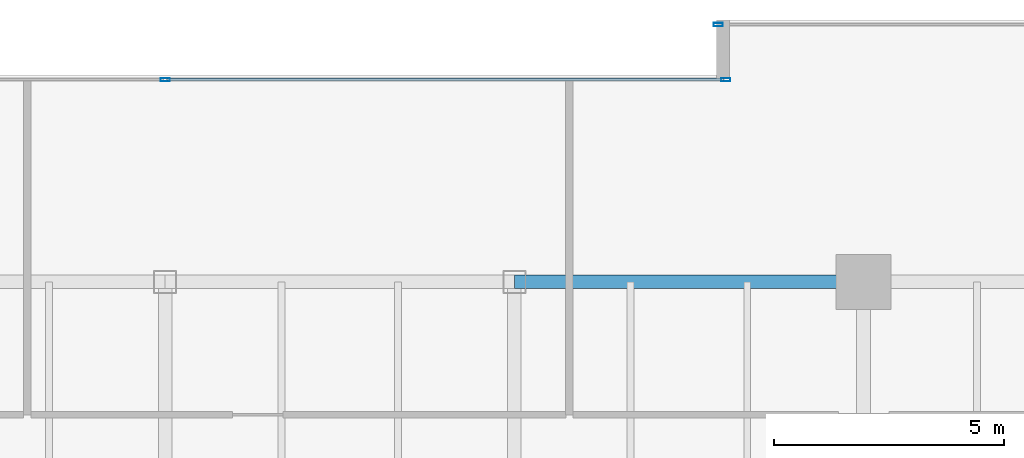
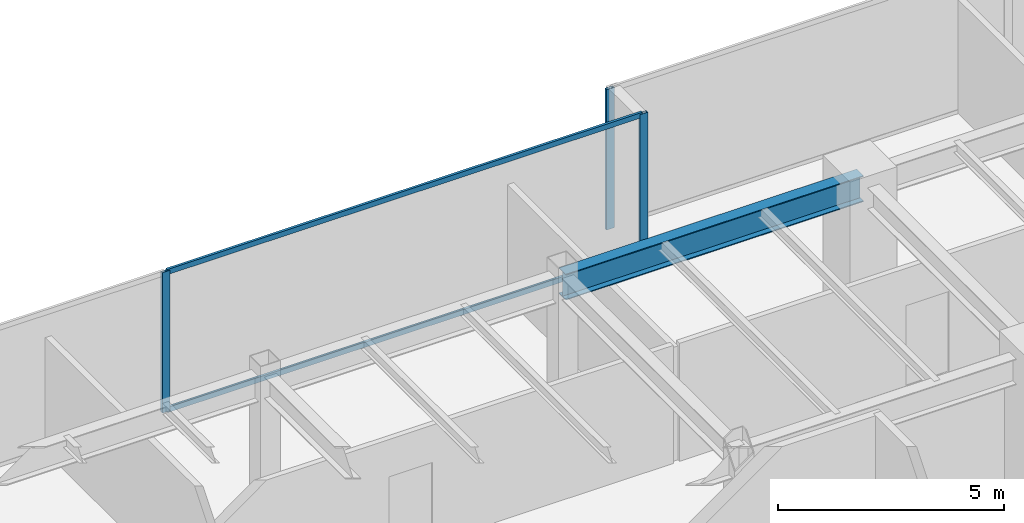
# One storey, part 18 of 30: 5 members, 1 beam, 2 elements without a shape of their own.
"""IFC4 building model written with IfcOpenShell, lengths in metres."""

from ifc_helpers import new_model, si_unit, direction, frame, origin, origin_2d, place, context, subcontext, project, spatial, hollow_rectangle, i_section, extrude, source, transform, mapped, material, layer, layer_set, material_profile, profile_set, type_object, type_shapes, element, aggregate, save


model = new_model("IFC4")

# Units and contexts
model_context = context("Model", 3, precision=1e-05, world=origin(), true_north=direction((0.0, 1.0)))
body_context = subcontext(model_context, "Body", "Model", "MODEL_VIEW")
ifc_project = project(units=[si_unit("LENGTHUNIT", "METRE"), si_unit("AREAUNIT", "SQUARE_METRE"), si_unit("VOLUMEUNIT", "CUBIC_METRE"), si_unit("PLANEANGLEUNIT", "RADIAN"), si_unit("MASSUNIT", "GRAM", prefix="KILO")], contexts=[model_context])

# Site, building, storey
site_placement = place(None, origin())
site = spatial("IfcSite", under=ifc_project, at=site_placement, CompositionType="ELEMENT")
building_placement = place(site_placement, origin())
building = spatial("IfcBuilding", under=site, at=building_placement, Name="Haelvirn Gate Laboratories", CompositionType="ELEMENT")
storey_placement = place(building_placement, frame((0.0, 0.0, 170.699951171875)))
storey = spatial("IfcBuildingStorey", under=building, at=storey_placement, Name="L41", CompositionType="ELEMENT", Elevation=170.699951171875)

# Beam
ifc_material_1 = material(Name="Steel SM355", Category="steel")
ifc_material_profile_1 = material_profile(ifc_material_1, i_section(OverallWidth=0.300048828125, OverallDepth=0.699951171875, WebThickness=0.012939453125, FlangeThickness=0.02392578125, at=origin_2d()), Name="H-700x300x13x24")
ifc_profile_set_1 = profile_set([ifc_material_profile_1], Name="Steel SM355")
beam_type = type_object("IfcBeamType", Name="BM-G-700", PredefinedType="BEAM", material=ifc_profile_set_1)
shared_shape_1 = source(origin(), body_context, "Body", "SweptSolid", [
    extrude(i_section(OverallWidth=0.300048828125, OverallDepth=0.699951171875, WebThickness=0.012939453125, FlangeThickness=0.02392578125, at=origin_2d()), origin(), (0.0, 0.0, 1.0), 7.60009765625),
])
type_shapes(beam_type, [shared_shape_1])
beam_placement = place(storey_placement, frame((45.0, 41.60009765625, 3.43994140625), z_axis=(1.0, 0.0, 0.0), x_axis=(0.0, 1.0, 0.0)))
element("IfcBeam", 1, at=beam_placement, inside=storey, type_object=beam_type, Name="L41 Primary Girder Y41.6 (45.0-52.6)", PredefinedType="BEAM", context=body_context, shape_type="MappedRepresentation", body=[
    mapped(shared_shape_1, transform((0.0, 0.0, 0.0), scale=1.0)),
])

# Curtain wall, members
ifc_material_2 = material(Name="Anodised bronze unitised aluminium & triple low-E glass", Category="aluminium")
ifc_layer = layer(ifc_material_2, 0.179931640625, Name="CW-SYS-3")
ifc_layer_set = layer_set([ifc_layer], Name="Anodised bronze unitised aluminium & triple low-E glass")
curtain_wall_type = type_object("IfcCurtainWallType", Name="CW-SYS-3", PredefinedType="NOTDEFINED", material=ifc_layer_set)
curtain_wall_1_placement = place(storey_placement, origin())
curtain_wall_1 = element("IfcCurtainWall", 2, at=curtain_wall_1_placement, inside=storey, type_object=curtain_wall_type, Name="L41 Unitised Curtain Wall CW-L41-P0-E12-1", PredefinedType="NOTDEFINED")
ifc_material_3 = material(Name="Extruded aluminium 6063-T6 (anodised bronze)", Category="aluminium")
ifc_material_profile_2 = material_profile(ifc_material_3, hollow_rectangle(XDim=0.06494140625, YDim=0.139892578125, WallThickness=0.00390625, at=origin_2d()), Name="CWT-140x65x4")
ifc_profile_set_2 = profile_set([ifc_material_profile_2], Name="Extruded aluminium 6063-T6 (anodised bronze)")
member_type_1 = type_object("IfcMemberType", Name="CWT-T140", PredefinedType="USERDEFINED", material=ifc_profile_set_2)
shared_shape_2 = source(origin(), body_context, "Body", "SweptSolid", [
    extrude(hollow_rectangle(XDim=0.06494140625, YDim=0.139892578125, WallThickness=0.00390625, at=origin_2d()), origin(), (0.0, 0.0, 1.0), 12.12744140625),
])
type_shapes(member_type_1, [shared_shape_2])
member_1_placement = place(storey_placement, frame((37.4375, 46.0, 0.032470703125), z_axis=(1.0, 0.0, 0.0), x_axis=(0.0, 1.0, 0.0)))
member_1 = element("IfcMember", 3, at=member_1_placement, type_object=member_type_1, Name="CW3 transom 2.1", ObjectType="TRANSOM", PredefinedType="USERDEFINED", context=body_context, shape_type="MappedRepresentation", body=[
    mapped(shared_shape_2, transform((0.0, 0.0, 0.0), scale=1.0)),
])
member_2_placement = place(storey_placement, frame((37.4375, 46.0, 3.757568359375), z_axis=(1.0, 0.0, 0.0), x_axis=(0.0, 1.0, 0.0)))
member_2 = element("IfcMember", 4, at=member_2_placement, type_object=member_type_1, Name="CW3 transom 2.2", ObjectType="TRANSOM", PredefinedType="USERDEFINED", context=body_context, shape_type="MappedRepresentation", body=[
    mapped(shared_shape_2, transform((0.0, 0.0, 0.0), scale=1.0)),
])

# Curtain wall, member
curtain_wall_2_placement = place(storey_placement, origin())
curtain_wall_2 = element("IfcCurtainWall", 5, at=curtain_wall_2_placement, inside=storey, type_object=curtain_wall_type, Name="L41 Unitised Curtain Wall CW-L41-P0-E10-1", PredefinedType="NOTDEFINED")
ifc_material_profile_3 = material_profile(ifc_material_3, hollow_rectangle(XDim=0.074951171875, YDim=0.199951171875, WallThickness=0.0048828125, at=origin_2d()), Name="CWM-200x75x5")
ifc_profile_set_3 = profile_set([ifc_material_profile_3], Name="Extruded aluminium 6063-T6 (anodised bronze)")
member_type_2 = type_object("IfcMemberType", Name="CWM-T200", PredefinedType="MULLION", material=ifc_profile_set_3)
shared_shape_3 = source(origin(), body_context, "Body", "SweptSolid", [
    extrude(hollow_rectangle(XDim=0.074951171875, YDim=0.199951171875, WallThickness=0.0048828125, at=origin_2d()), origin(), (0.0, 0.0, 1.0), 3.7900390625),
])
type_shapes(member_type_2, [shared_shape_3])
member_3_placement = place(storey_placement, frame((49.4375, 47.199951171875, 0.0), z_axis=(0.0, 0.0, 1.0), x_axis=(0.0, 1.0, 0.0)))
member_3 = element("IfcMember", 6, at=member_3_placement, type_object=member_type_2, Name="CW3 mullion 1", PredefinedType="MULLION", context=body_context, shape_type="MappedRepresentation", body=[
    mapped(shared_shape_3, transform((0.0, 0.0, 0.0), scale=1.0)),
])
aggregate(curtain_wall_2, [member_3])

# Member
member_4_placement = place(storey_placement, frame((37.39990234375, 46.0, 0.0), z_axis=(0.0, 0.0, 1.0), x_axis=(0.0, 1.0, 0.0)))
member_4 = element("IfcMember", 7, at=member_4_placement, type_object=member_type_2, Name="CW3 mullion 2", PredefinedType="MULLION", context=body_context, shape_type="MappedRepresentation", body=[
    mapped(shared_shape_3, transform((0.0, 0.0, 0.0), scale=1.0)),
])

member_5_placement = place(storey_placement, frame((49.6025390625, 46.0, 0.0), z_axis=(0.0, 0.0, 1.0), x_axis=(0.0, 1.0, 0.0)))
member_5 = element("IfcMember", 8, at=member_5_placement, type_object=member_type_2, Name="CW3 mullion 3", PredefinedType="MULLION", context=body_context, shape_type="MappedRepresentation", body=[
    mapped(shared_shape_3, transform((0.0, 0.0, 0.0), scale=1.0)),
])

aggregate(curtain_wall_1, [member_4, member_5, member_1, member_2])

save(model, "model.ifc")
